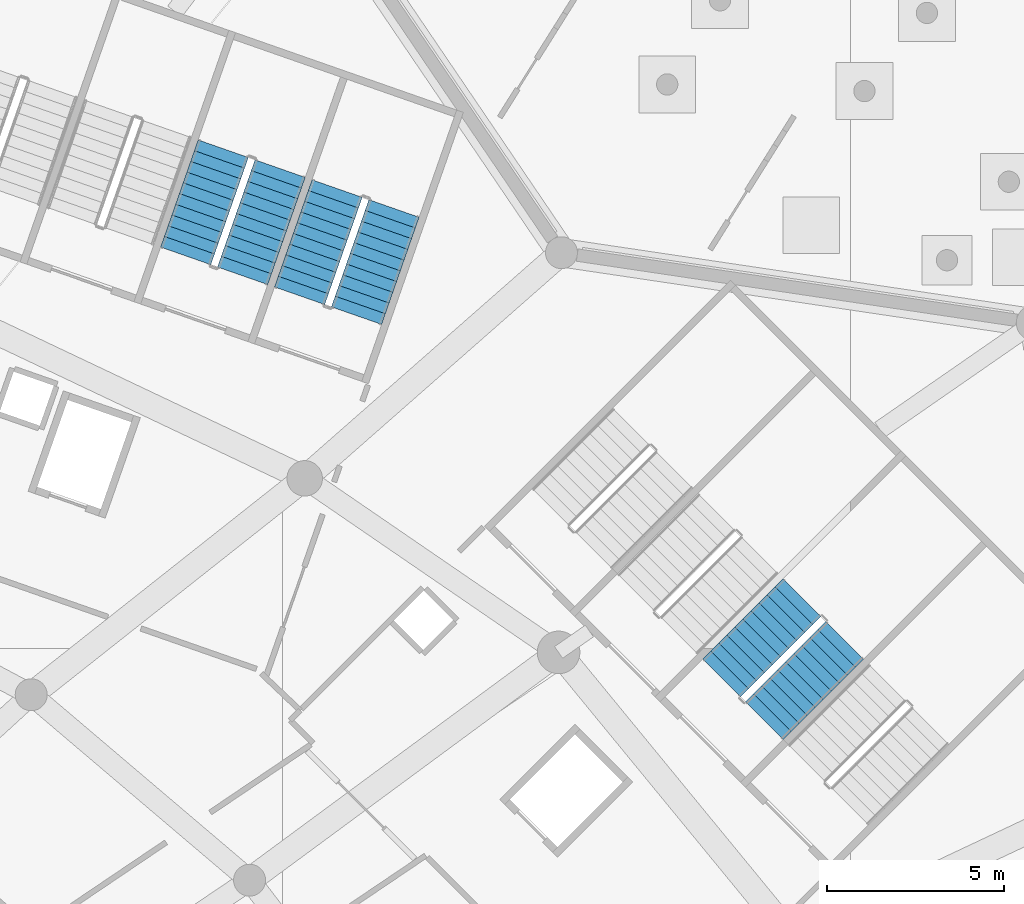
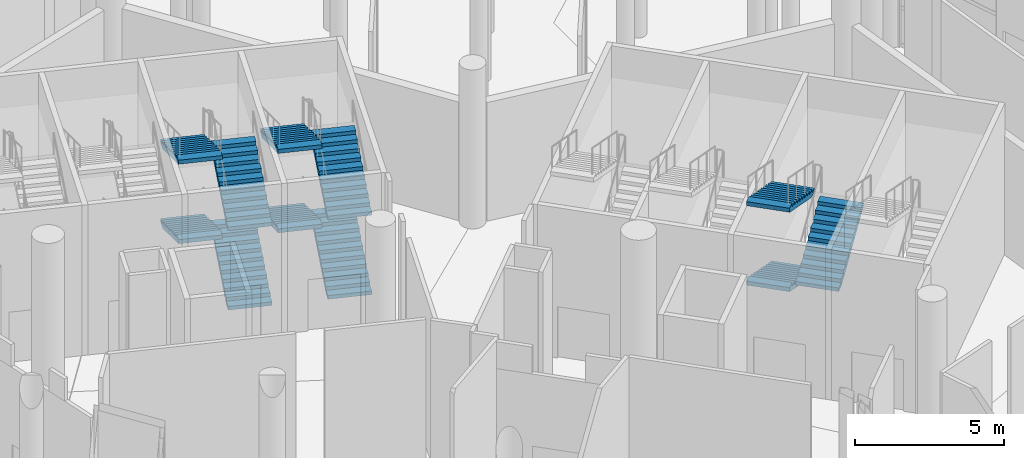
# One storey, part 182 of 255: 11 stair flights, 3 elements without a shape of their own.
"""IFC4 building model written with IfcOpenShell, lengths in metres."""

from ifc_helpers import new_model, si_unit, direction, frame, origin, place, context, subcontext, project, spatial, polyline, outline, extrude, material, type_object, element, aggregate, save


model = new_model("IFC4")

# Units and contexts
model_context = context("Model", 3, precision=1e-05, world=origin(), true_north=direction((0.0, 1.0)))
body_context = subcontext(model_context, "Body", "Model", "MODEL_VIEW")
ifc_project = project(units=[si_unit("LENGTHUNIT", "METRE"), si_unit("AREAUNIT", "SQUARE_METRE"), si_unit("VOLUMEUNIT", "CUBIC_METRE"), si_unit("PLANEANGLEUNIT", "RADIAN"), si_unit("MASSUNIT", "GRAM", prefix="KILO")], contexts=[model_context])

# Site, building, storey
site_placement = place(None, origin())
site = spatial("IfcSite", under=ifc_project, at=site_placement, CompositionType="ELEMENT")
building_placement = place(site_placement, origin())
building = spatial("IfcBuilding", under=site, at=building_placement, Name="Meseta Stadium", CompositionType="ELEMENT")
storey_placement = place(building_placement, origin())
storey = spatial("IfcBuildingStorey", under=building, at=storey_placement, Name="L00", CompositionType="ELEMENT", Elevation=0.0)

# Stair, stair flights
ifc_material_1 = material(Name="Concrete C40/50", Category="concrete")
stair_type = type_object("IfcStairType", Name="Exit stair 4 flights 148 mm risers", PredefinedType="HALF_TURN_STAIR", material=ifc_material_1)
stair_1_placement = place(storey_placement, origin())
stair_1 = element("IfcStair", 1, at=stair_1_placement, inside=storey, type_object=stair_type, Name="ST26 L00", PredefinedType="HALF_TURN_STAIR")
ifc_material_2 = material(Name="Concrete C40/50", Category="concrete")
stair_flight_type = type_object("IfcStairFlightType", Name="Exit stair flight 148 mm risers, 4 per storey", PredefinedType="STRAIGHT", material=ifc_material_2)
stair_flight_1_placement = place(storey_placement, frame((78.633056640625, 81.430908203125, 1.625), z_axis=(0.0, 0.0, 1.0), x_axis=(-0.707106781187, -0.707106781187, 0.0)))
stair_flight_1 = element("IfcStairFlight", 2, at=stair_flight_1_placement, type_object=stair_flight_type, Name="ST26 L00 flight 2", NumberOfRisers=11, NumberOfTreads=10, PredefinedType="STRAIGHT", RiserHeight=0.147727273, TreadLength=0.32, context=body_context, shape_type="SweptSolid", body=[
    extrude(outline(polyline([(0.0, 0.0), (0.0, 0.147705078125), (0.320068359375, 0.147705078125), (0.320068359375, 0.29541015625), (0.639892578125, 0.29541015625), (0.639892578125, 0.443115234375), (0.9599609375, 0.443115234375), (0.9599609375, 0.5908203125), (1.280029296875, 0.5908203125), (1.280029296875, 0.738525390625), (1.60009765625, 0.738525390625), (1.60009765625, 0.886474609375), (1.919921875, 0.886474609375), (1.919921875, 1.0341796875), (2.239990234375, 1.0341796875), (2.239990234375, 1.181884765625), (2.56005859375, 1.181884765625), (2.56005859375, 1.32958984375), (2.8798828125, 1.32958984375), (2.8798828125, 1.477294921875), (3.199951171875, 1.477294921875), (3.199951171875, 1.312255859375), (0.357666015625, 0.0), (0.0, 0.0)])), frame((0.0, 0.75, 0.0), z_axis=(0.0, -1.0, 0.0), x_axis=(1.0, 0.0, 0.0)), (0.0, 0.0, 1.0), 1.5),
])
stair_flight_2_placement = place(storey_placement, frame((77.572265625, 77.966064453125, 3.25), z_axis=(0.0, 0.0, 1.0), x_axis=(0.707106781187, 0.707106781187, 0.0)))
stair_flight_2 = element("IfcStairFlight", 3, at=stair_flight_2_placement, type_object=stair_flight_type, Name="ST26 L00 flight 3", NumberOfRisers=11, NumberOfTreads=10, PredefinedType="STRAIGHT", RiserHeight=0.147727273, TreadLength=0.32, context=body_context, shape_type="SweptSolid", body=[
    extrude(outline(polyline([(0.0, 0.0), (0.0, 0.147705078125), (0.320068359375, 0.147705078125), (0.320068359375, 0.29541015625), (0.639892578125, 0.29541015625), (0.639892578125, 0.443115234375), (0.9599609375, 0.443115234375), (0.9599609375, 0.5908203125), (1.280029296875, 0.5908203125), (1.280029296875, 0.738525390625), (1.60009765625, 0.738525390625), (1.60009765625, 0.886474609375), (1.919921875, 0.886474609375), (1.919921875, 1.0341796875), (2.239990234375, 1.0341796875), (2.239990234375, 1.181884765625), (2.56005859375, 1.181884765625), (2.56005859375, 1.32958984375), (2.8798828125, 1.32958984375), (2.8798828125, 1.477294921875), (3.199951171875, 1.477294921875), (3.199951171875, 1.312255859375), (0.357666015625, 0.0), (0.0, 0.0)])), frame((0.0, 0.75, 0.0), z_axis=(0.0, -1.0, 0.0), x_axis=(1.0, 0.0, 0.0)), (0.0, 0.0, 1.0), 1.5),
])
stair_flight_3_placement = place(storey_placement, frame((78.633056640625, 81.430908203125, 4.875), z_axis=(0.0, 0.0, 1.0), x_axis=(-0.707106781187, -0.707106781187, 0.0)))
stair_flight_3 = element("IfcStairFlight", 4, at=stair_flight_3_placement, type_object=stair_flight_type, Name="ST26 L00 flight 4", NumberOfRisers=11, NumberOfTreads=10, PredefinedType="STRAIGHT", RiserHeight=0.147727273, TreadLength=0.32, context=body_context, shape_type="SweptSolid", body=[
    extrude(outline(polyline([(0.0, 0.0), (0.0, 0.147705078125), (0.320068359375, 0.147705078125), (0.320068359375, 0.29541015625), (0.639892578125, 0.29541015625), (0.639892578125, 0.443115234375), (0.9599609375, 0.443115234375), (0.9599609375, 0.5908203125), (1.280029296875, 0.5908203125), (1.280029296875, 0.738525390625), (1.60009765625, 0.738525390625), (1.60009765625, 0.886474609375), (1.919921875, 0.886474609375), (1.919921875, 1.0341796875), (2.239990234375, 1.0341796875), (2.239990234375, 1.181884765625), (2.56005859375, 1.181884765625), (2.56005859375, 1.32958984375), (2.8798828125, 1.32958984375), (2.8798828125, 1.477294921875), (3.199951171875, 1.477294921875), (3.199951171875, 1.312255859375), (0.357666015625, 0.0), (0.0, 0.0)])), frame((0.0, 0.75, 0.0), z_axis=(0.0, -1.0, 0.0), x_axis=(1.0, 0.0, 0.0)), (0.0, 0.0, 1.0), 1.5),
])
aggregate(stair_1, [stair_flight_1, stair_flight_2, stair_flight_3])

stair_2_placement = place(storey_placement, origin())
stair_2 = element("IfcStair", 5, at=stair_2_placement, inside=storey, type_object=stair_type, Name="ST29 L00", PredefinedType="HALF_TURN_STAIR")
stair_flight_4_placement = place(storey_placement, frame((66.082275390625, 89.376953125, 0.0), z_axis=(0.0, 0.0, 1.0), x_axis=(0.330279057248, 0.943883331955, 0.0)))
stair_flight_4 = element("IfcStairFlight", 6, at=stair_flight_4_placement, type_object=stair_flight_type, Name="ST29 L00 flight 1", NumberOfRisers=11, NumberOfTreads=10, PredefinedType="STRAIGHT", RiserHeight=0.147727273, TreadLength=0.32, context=body_context, shape_type="SweptSolid", body=[
    extrude(outline(polyline([(0.0, 0.0), (0.0, 0.147705078125), (0.320068359375, 0.147705078125), (0.320068359375, 0.29541015625), (0.639892578125, 0.29541015625), (0.639892578125, 0.443115234375), (0.9599609375, 0.443115234375), (0.9599609375, 0.5908203125), (1.280029296875, 0.5908203125), (1.280029296875, 0.738525390625), (1.60009765625, 0.738525390625), (1.60009765625, 0.886474609375), (1.919921875, 0.886474609375), (1.919921875, 1.0341796875), (2.239990234375, 1.0341796875), (2.239990234375, 1.181884765625), (2.56005859375, 1.181884765625), (2.56005859375, 1.32958984375), (2.8798828125, 1.32958984375), (2.8798828125, 1.477294921875), (3.199951171875, 1.477294921875), (3.199951171875, 1.312255859375), (0.357666015625, 0.0), (0.0, 0.0)])), frame((0.0, 0.75, 0.0), z_axis=(0.0, -1.0, 0.0), x_axis=(1.0, 0.0, 0.0)), (0.0, 0.0, 1.0), 1.5),
])
stair_flight_5_placement = place(storey_placement, frame((65.53466796875, 92.958740234375, 1.625), z_axis=(0.0, 0.0, 1.0), x_axis=(-0.330279057248, -0.943883331955, 0.0)))
stair_flight_5 = element("IfcStairFlight", 7, at=stair_flight_5_placement, type_object=stair_flight_type, Name="ST29 L00 flight 2", NumberOfRisers=11, NumberOfTreads=10, PredefinedType="STRAIGHT", RiserHeight=0.147727273, TreadLength=0.32, context=body_context, shape_type="SweptSolid", body=[
    extrude(outline(polyline([(0.0, 0.0), (0.0, 0.147705078125), (0.320068359375, 0.147705078125), (0.320068359375, 0.29541015625), (0.639892578125, 0.29541015625), (0.639892578125, 0.443115234375), (0.9599609375, 0.443115234375), (0.9599609375, 0.5908203125), (1.280029296875, 0.5908203125), (1.280029296875, 0.738525390625), (1.60009765625, 0.738525390625), (1.60009765625, 0.886474609375), (1.919921875, 0.886474609375), (1.919921875, 1.0341796875), (2.239990234375, 1.0341796875), (2.239990234375, 1.181884765625), (2.56005859375, 1.181884765625), (2.56005859375, 1.32958984375), (2.8798828125, 1.32958984375), (2.8798828125, 1.477294921875), (3.199951171875, 1.477294921875), (3.199951171875, 1.312255859375), (0.357666015625, 0.0), (0.0, 0.0)])), frame((0.0, 0.75, 0.0), z_axis=(0.0, -1.0, 0.0), x_axis=(1.0, 0.0, 0.0)), (0.0, 0.0, 1.0), 1.5),
])
stair_flight_6_placement = place(storey_placement, frame((66.082275390625, 89.376953125, 3.25), z_axis=(0.0, 0.0, 1.0), x_axis=(0.330279057248, 0.943883331955, 0.0)))
stair_flight_6 = element("IfcStairFlight", 8, at=stair_flight_6_placement, type_object=stair_flight_type, Name="ST29 L00 flight 3", NumberOfRisers=11, NumberOfTreads=10, PredefinedType="STRAIGHT", RiserHeight=0.147727273, TreadLength=0.32, context=body_context, shape_type="SweptSolid", body=[
    extrude(outline(polyline([(0.0, 0.0), (0.0, 0.147705078125), (0.320068359375, 0.147705078125), (0.320068359375, 0.29541015625), (0.639892578125, 0.29541015625), (0.639892578125, 0.443115234375), (0.9599609375, 0.443115234375), (0.9599609375, 0.5908203125), (1.280029296875, 0.5908203125), (1.280029296875, 0.738525390625), (1.60009765625, 0.738525390625), (1.60009765625, 0.886474609375), (1.919921875, 0.886474609375), (1.919921875, 1.0341796875), (2.239990234375, 1.0341796875), (2.239990234375, 1.181884765625), (2.56005859375, 1.181884765625), (2.56005859375, 1.32958984375), (2.8798828125, 1.32958984375), (2.8798828125, 1.477294921875), (3.199951171875, 1.477294921875), (3.199951171875, 1.312255859375), (0.357666015625, 0.0), (0.0, 0.0)])), frame((0.0, 0.75, 0.0), z_axis=(0.0, -1.0, 0.0), x_axis=(1.0, 0.0, 0.0)), (0.0, 0.0, 1.0), 1.5),
])
stair_flight_7_placement = place(storey_placement, frame((65.53466796875, 92.958740234375, 4.875), z_axis=(0.0, 0.0, 1.0), x_axis=(-0.330279057248, -0.943883331955, 0.0)))
stair_flight_7 = element("IfcStairFlight", 9, at=stair_flight_7_placement, type_object=stair_flight_type, Name="ST29 L00 flight 4", NumberOfRisers=11, NumberOfTreads=10, PredefinedType="STRAIGHT", RiserHeight=0.147727273, TreadLength=0.32, context=body_context, shape_type="SweptSolid", body=[
    extrude(outline(polyline([(0.0, 0.0), (0.0, 0.147705078125), (0.320068359375, 0.147705078125), (0.320068359375, 0.29541015625), (0.639892578125, 0.29541015625), (0.639892578125, 0.443115234375), (0.9599609375, 0.443115234375), (0.9599609375, 0.5908203125), (1.280029296875, 0.5908203125), (1.280029296875, 0.738525390625), (1.60009765625, 0.738525390625), (1.60009765625, 0.886474609375), (1.919921875, 0.886474609375), (1.919921875, 1.0341796875), (2.239990234375, 1.0341796875), (2.239990234375, 1.181884765625), (2.56005859375, 1.181884765625), (2.56005859375, 1.32958984375), (2.8798828125, 1.32958984375), (2.8798828125, 1.477294921875), (3.199951171875, 1.477294921875), (3.199951171875, 1.312255859375), (0.357666015625, 0.0), (0.0, 0.0)])), frame((0.0, 0.75, 0.0), z_axis=(0.0, -1.0, 0.0), x_axis=(1.0, 0.0, 0.0)), (0.0, 0.0, 1.0), 1.5),
])
aggregate(stair_2, [stair_flight_4, stair_flight_5, stair_flight_6, stair_flight_7])

stair_3_placement = place(storey_placement, origin())
stair_3 = element("IfcStair", 10, at=stair_3_placement, inside=storey, type_object=stair_type, Name="ST30 L00", PredefinedType="HALF_TURN_STAIR")
stair_flight_8_placement = place(storey_placement, frame((62.873046875, 90.5, 0.0), z_axis=(0.0, 0.0, 1.0), x_axis=(0.330279057248, 0.943883331955, 0.0)))
stair_flight_8 = element("IfcStairFlight", 11, at=stair_flight_8_placement, type_object=stair_flight_type, Name="ST30 L00 flight 1", NumberOfRisers=11, NumberOfTreads=10, PredefinedType="STRAIGHT", RiserHeight=0.147727273, TreadLength=0.32, context=body_context, shape_type="SweptSolid", body=[
    extrude(outline(polyline([(0.0, 0.0), (0.0, 0.147705078125), (0.320068359375, 0.147705078125), (0.320068359375, 0.29541015625), (0.639892578125, 0.29541015625), (0.639892578125, 0.443115234375), (0.9599609375, 0.443115234375), (0.9599609375, 0.5908203125), (1.280029296875, 0.5908203125), (1.280029296875, 0.738525390625), (1.60009765625, 0.738525390625), (1.60009765625, 0.886474609375), (1.919921875, 0.886474609375), (1.919921875, 1.0341796875), (2.239990234375, 1.0341796875), (2.239990234375, 1.181884765625), (2.56005859375, 1.181884765625), (2.56005859375, 1.32958984375), (2.8798828125, 1.32958984375), (2.8798828125, 1.477294921875), (3.199951171875, 1.477294921875), (3.199951171875, 1.312255859375), (0.357666015625, 0.0), (0.0, 0.0)])), frame((0.0, 0.75, 0.0), z_axis=(0.0, -1.0, 0.0), x_axis=(1.0, 0.0, 0.0)), (0.0, 0.0, 1.0), 1.5),
])
stair_flight_9_placement = place(storey_placement, frame((62.325439453125, 94.081787109375, 1.625), z_axis=(0.0, 0.0, 1.0), x_axis=(-0.330279057248, -0.943883331955, 0.0)))
stair_flight_9 = element("IfcStairFlight", 12, at=stair_flight_9_placement, type_object=stair_flight_type, Name="ST30 L00 flight 2", NumberOfRisers=11, NumberOfTreads=10, PredefinedType="STRAIGHT", RiserHeight=0.147727273, TreadLength=0.32, context=body_context, shape_type="SweptSolid", body=[
    extrude(outline(polyline([(0.0, 0.0), (0.0, 0.147705078125), (0.320068359375, 0.147705078125), (0.320068359375, 0.29541015625), (0.639892578125, 0.29541015625), (0.639892578125, 0.443115234375), (0.9599609375, 0.443115234375), (0.9599609375, 0.5908203125), (1.280029296875, 0.5908203125), (1.280029296875, 0.738525390625), (1.60009765625, 0.738525390625), (1.60009765625, 0.886474609375), (1.919921875, 0.886474609375), (1.919921875, 1.0341796875), (2.239990234375, 1.0341796875), (2.239990234375, 1.181884765625), (2.56005859375, 1.181884765625), (2.56005859375, 1.32958984375), (2.8798828125, 1.32958984375), (2.8798828125, 1.477294921875), (3.199951171875, 1.477294921875), (3.199951171875, 1.312255859375), (0.357666015625, 0.0), (0.0, 0.0)])), frame((0.0, 0.75, 0.0), z_axis=(0.0, -1.0, 0.0), x_axis=(1.0, 0.0, 0.0)), (0.0, 0.0, 1.0), 1.5),
])
stair_flight_10_placement = place(storey_placement, frame((62.873046875, 90.5, 3.25), z_axis=(0.0, 0.0, 1.0), x_axis=(0.330279057248, 0.943883331955, 0.0)))
stair_flight_10 = element("IfcStairFlight", 13, at=stair_flight_10_placement, type_object=stair_flight_type, Name="ST30 L00 flight 3", NumberOfRisers=11, NumberOfTreads=10, PredefinedType="STRAIGHT", RiserHeight=0.147727273, TreadLength=0.32, context=body_context, shape_type="SweptSolid", body=[
    extrude(outline(polyline([(0.0, 0.0), (0.0, 0.147705078125), (0.320068359375, 0.147705078125), (0.320068359375, 0.29541015625), (0.639892578125, 0.29541015625), (0.639892578125, 0.443115234375), (0.9599609375, 0.443115234375), (0.9599609375, 0.5908203125), (1.280029296875, 0.5908203125), (1.280029296875, 0.738525390625), (1.60009765625, 0.738525390625), (1.60009765625, 0.886474609375), (1.919921875, 0.886474609375), (1.919921875, 1.0341796875), (2.239990234375, 1.0341796875), (2.239990234375, 1.181884765625), (2.56005859375, 1.181884765625), (2.56005859375, 1.32958984375), (2.8798828125, 1.32958984375), (2.8798828125, 1.477294921875), (3.199951171875, 1.477294921875), (3.199951171875, 1.312255859375), (0.357666015625, 0.0), (0.0, 0.0)])), frame((0.0, 0.75, 0.0), z_axis=(0.0, -1.0, 0.0), x_axis=(1.0, 0.0, 0.0)), (0.0, 0.0, 1.0), 1.5),
])
stair_flight_11_placement = place(storey_placement, frame((62.325439453125, 94.081787109375, 4.875), z_axis=(0.0, 0.0, 1.0), x_axis=(-0.330279057248, -0.943883331955, 0.0)))
stair_flight_11 = element("IfcStairFlight", 14, at=stair_flight_11_placement, type_object=stair_flight_type, Name="ST30 L00 flight 4", NumberOfRisers=11, NumberOfTreads=10, PredefinedType="STRAIGHT", RiserHeight=0.147727273, TreadLength=0.32, context=body_context, shape_type="SweptSolid", body=[
    extrude(outline(polyline([(0.0, 0.0), (0.0, 0.147705078125), (0.320068359375, 0.147705078125), (0.320068359375, 0.29541015625), (0.639892578125, 0.29541015625), (0.639892578125, 0.443115234375), (0.9599609375, 0.443115234375), (0.9599609375, 0.5908203125), (1.280029296875, 0.5908203125), (1.280029296875, 0.738525390625), (1.60009765625, 0.738525390625), (1.60009765625, 0.886474609375), (1.919921875, 0.886474609375), (1.919921875, 1.0341796875), (2.239990234375, 1.0341796875), (2.239990234375, 1.181884765625), (2.56005859375, 1.181884765625), (2.56005859375, 1.32958984375), (2.8798828125, 1.32958984375), (2.8798828125, 1.477294921875), (3.199951171875, 1.477294921875), (3.199951171875, 1.312255859375), (0.357666015625, 0.0), (0.0, 0.0)])), frame((0.0, 0.75, 0.0), z_axis=(0.0, -1.0, 0.0), x_axis=(1.0, 0.0, 0.0)), (0.0, 0.0, 1.0), 1.5),
])
aggregate(stair_3, [stair_flight_8, stair_flight_9, stair_flight_10, stair_flight_11])

save(model, "model.ifc")
